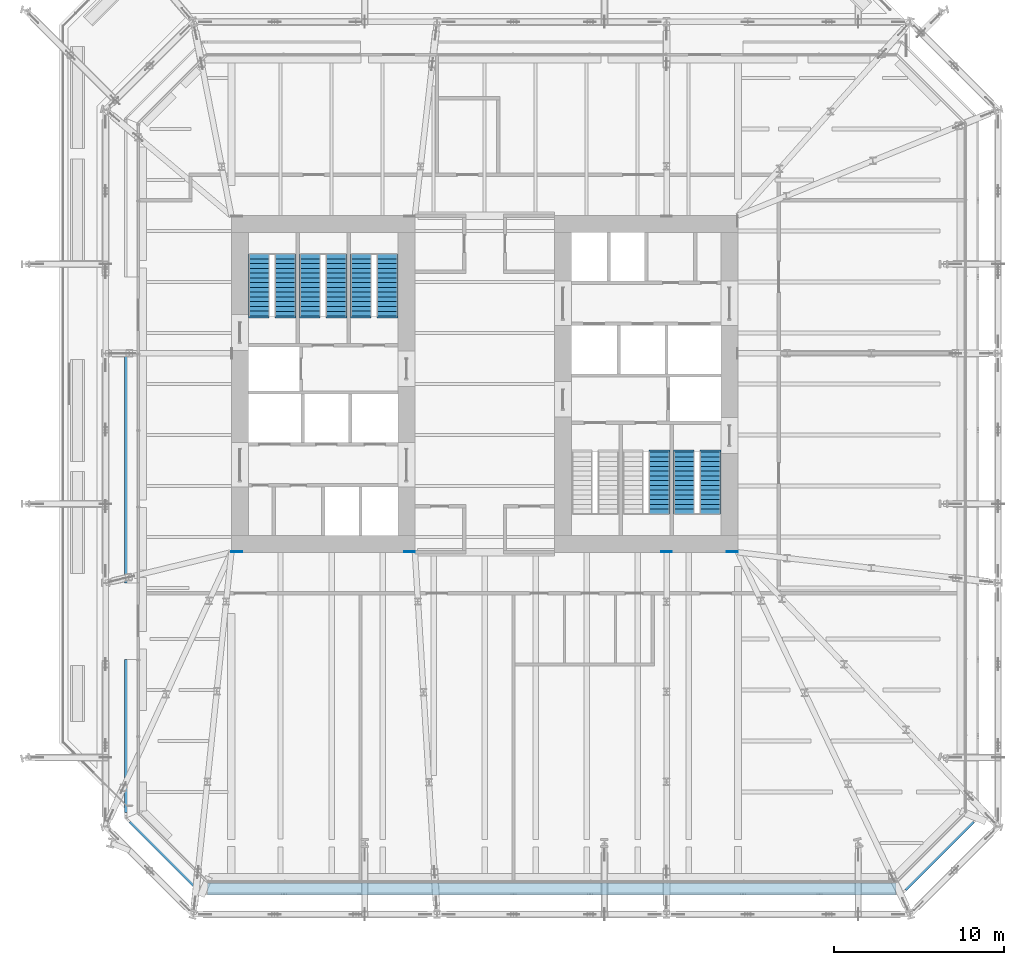
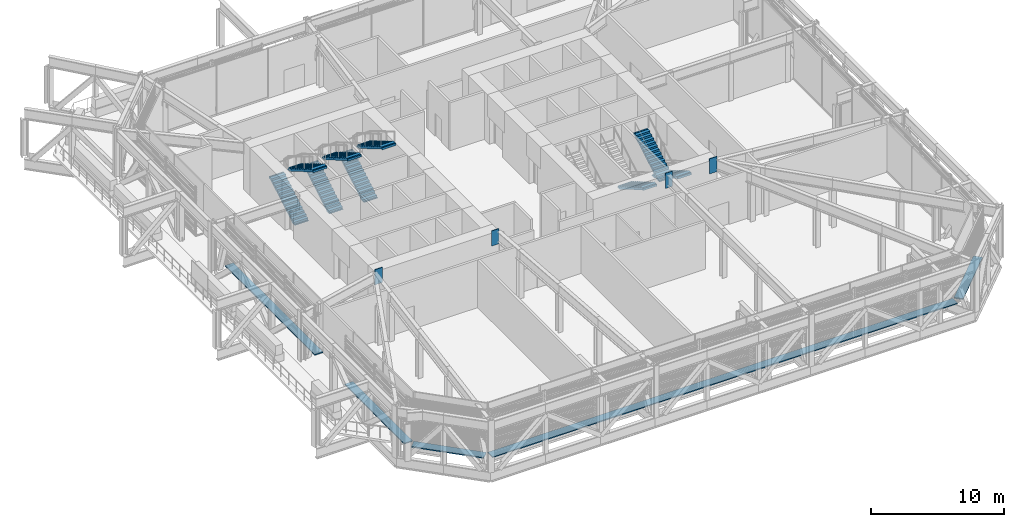
# One storey, part 20 of 29: 9 discrete accessories, 9 stair flights, 5 elements without a shape of their own.
"""IFC4 building model written with IfcOpenShell, lengths in metres."""

import ifcopenshell
import ifcopenshell.guid

model = None  # the IFC model being written
_history = None  # IfcOwnerHistory: only IFC2X3 demands one
_inside = {}  # id of a spatial element -> (the spatial element, [elements in it])
_under = {}  # id of a project, library or spatial element -> (it, [spatial elements below it])
_declared = {}  # id of a project -> (the project, [libraries it declares])
_typed = {}  # id of a type object -> (the type object, [elements of that type])
_made_of = {}  # id of a material, layer set ... -> (it, [elements and type objects made of it])


def new_model(schema):
    """Start an empty IFC model of exactly this schema.

    Asked for "IFC4X3", IfcOpenShell would pick the latest addendum, in which some entities
    have other attributes; the version numbers below select the first issue.
    IFC2X3 requires an IfcOwnerHistory on every rooted entity: one is made here for all.
    """
    global model, _history
    if schema == "IFC4X3":
        model = ifcopenshell.file(schema_version=(4, 3, 0, 0))
    else:
        model = ifcopenshell.file(schema=schema)
    _inside.clear()
    _under.clear()
    _declared.clear()
    _typed.clear()
    _made_of.clear()
    _history = None
    if model.schema == "IFC2X3":
        org = make("IfcOrganization", Name="unknown")
        user = make(
            "IfcPersonAndOrganization",
            ThePerson=make("IfcPerson", FamilyName="unknown"),
            TheOrganization=org,
        )
        app = make(
            "IfcApplication",
            ApplicationDeveloper=org,
            Version="unknown",
            ApplicationFullName="unknown",
            ApplicationIdentifier="unknown",
        )
        _history = make(
            "IfcOwnerHistory",
            OwningUser=user,
            OwningApplication=app,
            ChangeAction="ADDED",
            CreationDate=0,
        )
    return model


def make(cls, **values):
    """One entity of the class cls with the attributes given. An attribute that is None is left unset."""
    return model.create_entity(
        cls, **{name: value for name, value in values.items() if value is not None}
    )


def rooted(cls, **values):
    """An entity with a GlobalId (a new one), such as an element, a storey or a relation."""
    return make(cls, GlobalId=ifcopenshell.guid.new(), OwnerHistory=_history, **values)


def si_unit(unit_type, name, prefix=None):
    """IfcSIUnit, for example si_unit("LENGTHUNIT", "METRE", prefix="MILLI")."""
    return make("IfcSIUnit", UnitType=unit_type, Prefix=prefix, Name=name)


def assignment(units):
    """IfcUnitAssignment: the units of a project."""
    return None if units is None else make("IfcUnitAssignment", Units=units)


def point(xyz):
    """IfcCartesianPoint."""
    return None if xyz is None else make("IfcCartesianPoint", Coordinates=xyz)


def direction(xyz):
    """IfcDirection."""
    return None if xyz is None else make("IfcDirection", DirectionRatios=xyz)


def frame(location, z_axis=None, x_axis=None):
    """IfcAxis2Placement3D, a coordinate frame: its origin and axes. An axis left out is left unset."""
    return make(
        "IfcAxis2Placement3D",
        Location=point(location),
        Axis=direction(z_axis),
        RefDirection=direction(x_axis),
    )


def frame_2d(location, x_axis=None):
    """IfcAxis2Placement2D, a coordinate frame in the plane: its origin and x axis."""
    return make(
        "IfcAxis2Placement2D", Location=point(location), RefDirection=direction(x_axis)
    )


def origin():
    """The frame at (0, 0, 0) with its axes left unset."""
    return frame((0.0, 0.0, 0.0))


def origin_2d():
    """The frame at (0, 0) in the plane with its x axis left unset."""
    return frame_2d((0.0, 0.0))


def place(relative_to, where):
    """IfcLocalPlacement: puts the frame where relative to a parent placement (None: the world)."""
    return make(
        "IfcLocalPlacement", PlacementRelTo=relative_to, RelativePlacement=where
    )


def context(
    kind, dimensions, precision=None, world=None, true_north=None, identifier=None
):
    """IfcGeometricRepresentationContext, for example the 3D "Model" context."""
    return make(
        "IfcGeometricRepresentationContext",
        ContextIdentifier=identifier,
        ContextType=kind,
        CoordinateSpaceDimension=dimensions,
        Precision=precision,
        WorldCoordinateSystem=world,
        TrueNorth=true_north,
    )


def subcontext(parent, identifier, kind, view, scale=None):
    """IfcGeometricRepresentationSubContext, for example "Body" below "Model"."""
    return make(
        "IfcGeometricRepresentationSubContext",
        ContextIdentifier=identifier,
        ContextType=kind,
        ParentContext=parent,
        TargetScale=scale,
        TargetView=view,
    )


def project(units=None, contexts=None):
    """IfcProject with its units and contexts."""
    return rooted(
        "IfcProject",
        Name="project",
        RepresentationContexts=contexts,
        UnitsInContext=assignment(units),
    )


def spatial(cls, under=None, at=None, **own):
    """A site, building, storey or space (cls), placed at a placement, below another one or the project."""
    s = rooted(cls, ObjectPlacement=at, **own)
    if under is not None:
        _under.setdefault(under.id(), (under, []))[1].append(s)
    return s


def polyline(points):
    """IfcPolyline through the points."""
    return make("IfcPolyline", Points=[point(p) for p in points])


def profile(cls, at=None, kind="AREA", **sizes):
    """A parametric profile (cls). Its sizes go by their IFC names, for example OverallWidth=200.0."""
    return make(cls, ProfileType=kind, Position=at, **sizes)


def rectangle(**sizes):
    """IfcRectangleProfileDef."""
    return profile("IfcRectangleProfileDef", **sizes)


def outline(outer, holes=None, kind="AREA"):
    """IfcArbitraryClosedProfileDef: a profile drawn as a closed curve; with holes, ...WithVoids."""
    if holes is None:
        return make("IfcArbitraryClosedProfileDef", ProfileType=kind, OuterCurve=outer)
    return make(
        "IfcArbitraryProfileDefWithVoids",
        ProfileType=kind,
        OuterCurve=outer,
        InnerCurves=holes,
    )


def extrude(swept, where, along, depth):
    """IfcExtrudedAreaSolid: the profile swept, set in the frame where, extruded along a direction by depth."""
    return make(
        "IfcExtrudedAreaSolid",
        SweptArea=swept,
        Position=where,
        ExtrudedDirection=direction(along),
        Depth=depth,
    )


def shape(context_of_items, identifier, shape_type, items):
    """IfcShapeRepresentation: the items that make up one representation, for example the "Body"."""
    return make(
        "IfcShapeRepresentation",
        ContextOfItems=context_of_items,
        RepresentationIdentifier=identifier,
        RepresentationType=shape_type,
        Items=items,
    )


def material(Name=None, Category=None):
    """IfcMaterial."""
    return make("IfcMaterial", Name=Name, Category=Category)


def layer(
    of_material, thickness, ventilated=None, Name=None, Category=None, Priority=None
):
    """IfcMaterialLayer: one layer of a wall or slab, of a material (None: an air gap)."""
    return make(
        "IfcMaterialLayer",
        Material=of_material,
        LayerThickness=thickness,
        IsVentilated=ventilated,
        Name=Name,
        Category=Category,
        Priority=Priority,
    )


def layer_set(layers, Name=None):
    """IfcMaterialLayerSet."""
    return make("IfcMaterialLayerSet", MaterialLayers=layers, LayerSetName=Name)


def made_of(thing, what):
    """Note that an element or type object is made of a material, layer set ...; save() writes the relation."""
    if what is not None:
        _made_of.setdefault(what.id(), (what, []))[1].append(thing)
    return thing


def type_object(cls, material=None, **own):
    """A type object (cls), such as IfcWallType, which elements share."""
    return made_of(rooted(cls, **own), material)


def element(
    cls,
    number,
    at=None,
    inside=None,
    cuts=None,
    type_object=None,
    material=None,
    context=None,
    identifier="Body",
    shape_type=None,
    held_by="IfcProductDefinitionShape",
    body=None,
    shapes=None,
    **own,
):
    """One element of the class cls, such as IfcWall. Its Tag is "e" and its number.

    at: its placement. inside: the storey or other place that contains it. cuts: it is an
    opening in that element (IfcRelVoidsElement). A single representation is given by context,
    identifier, shape_type and body (its items); several are given by shapes. held_by: the class
    of the entity that holds the representations. save() writes the other relations.
    """
    e = rooted(cls, Tag="e%d" % number, ObjectPlacement=at, **own)
    if body is not None:
        shapes = [shape(context, identifier, shape_type, body)]
    if shapes is not None:
        e.Representation = make(held_by, Representations=shapes)
    if inside is not None:
        _inside.setdefault(inside.id(), (inside, []))[1].append(e)
    if cuts is not None:
        rooted(
            "IfcRelVoidsElement", RelatingBuildingElement=cuts, RelatedOpeningElement=e
        )
    if type_object is not None:
        _typed.setdefault(type_object.id(), (type_object, []))[1].append(e)
    return made_of(e, material)


def aggregate(whole, parts):
    """IfcRelAggregates: a whole, such as a stair, and the parts it consists of."""
    return rooted("IfcRelAggregates", RelatingObject=whole, RelatedObjects=parts)


def save(model, path):
    """Write the relations noted so far, then the file.

    IfcRelAggregates (storeys below a building ...), IfcRelContainedInSpatialStructure (elements
    in a storey), IfcRelDefinesByType, IfcRelAssociatesMaterial and IfcRelDeclares: one each for
    every whole, place, type object, material and project.
    """
    for whole, parts in _under.values():
        aggregate(whole, parts)
    for where, things in _inside.values():
        rooted(
            "IfcRelContainedInSpatialStructure",
            RelatedElements=things,
            RelatingStructure=where,
        )
    for kind, things in _typed.values():
        rooted("IfcRelDefinesByType", RelatedObjects=things, RelatingType=kind)
    for what, things in _made_of.values():
        rooted("IfcRelAssociatesMaterial", RelatedObjects=things, RelatingMaterial=what)
    for by, libraries in _declared.values():
        rooted("IfcRelDeclares", RelatingContext=by, RelatedDefinitions=libraries)
    model.write(path)


model = new_model("IFC4")

# Units and contexts
model_context = context("Model", 3, precision=1e-05, world=origin(), true_north=direction((0.0, 1.0)))
body_context = subcontext(model_context, "Body", "Model", "MODEL_VIEW")
ifc_project = project(units=[si_unit("LENGTHUNIT", "METRE"), si_unit("AREAUNIT", "SQUARE_METRE"), si_unit("VOLUMEUNIT", "CUBIC_METRE"), si_unit("PLANEANGLEUNIT", "RADIAN"), si_unit("MASSUNIT", "GRAM", prefix="KILO")], contexts=[model_context])

# Site, building, storey
site_placement = place(None, origin())
site = spatial("IfcSite", under=ifc_project, at=site_placement, CompositionType="ELEMENT")
building_placement = place(site_placement, origin())
building = spatial("IfcBuilding", under=site, at=building_placement, Name="Millrace Tower", CompositionType="ELEMENT")
storey_placement = place(building_placement, frame((0.0, 0.0, 68.60009765625)))
storey = spatial("IfcBuildingStorey", under=building, at=storey_placement, Name="L15", CompositionType="ELEMENT", Elevation=68.60009765625)

# Stair, stair flights
ifc_material_1 = material(Name="Concrete C35", Category="concrete")
stair_type = type_object("IfcStairType", Name="Exit stair", PredefinedType="HALF_TURN_STAIR", material=ifc_material_1)
placement = place(storey_placement, origin())
stair_1 = element("IfcStair", 1, at=placement, inside=storey, type_object=stair_type, Name="Stair 1 W L15", PredefinedType="HALF_TURN_STAIR")
ifc_material_2 = material(Name="Concrete C35", Category="concrete")
stair_flight_type = type_object("IfcStairFlightType", Name="Exit stair flight", PredefinedType="STRAIGHT", material=ifc_material_2)
stair_flight_1_placement = place(storey_placement, frame((-13.2900390625, 4.0, 0.0), z_axis=(0.0, 0.0, 1.0), x_axis=(0.0, 1.0, 0.0)))
stair_flight_1 = element("IfcStairFlight", 2, at=stair_flight_1_placement, type_object=stair_flight_type, Name="ST12 flight 1", NumberOfRisers=14, NumberOfTreads=13, PredefinedType="STRAIGHT", RiserHeight=0.164285714, TreadLength=0.28, context=body_context, shape_type="SweptSolid", body=[
    extrude(outline(polyline([(-0.1201171875, -0.0400390625), (-0.1201171875, 0.0), (0.0, 0.0), (0.0, 0.164306640625), (0.280029296875, 0.164306640625), (0.280029296875, 0.32861328125), (0.56005859375, 0.32861328125), (0.56005859375, 0.492919921875), (0.840087890625, 0.492919921875), (0.840087890625, 0.6572265625), (1.1201171875, 0.6572265625), (1.1201171875, 0.821533203125), (1.39990234375, 0.821533203125), (1.39990234375, 0.985595703125), (1.679931640625, 0.985595703125), (1.679931640625, 1.14990234375), (1.9599609375, 1.14990234375), (1.9599609375, 1.314208984375), (2.239990234375, 1.314208984375), (2.239990234375, 1.478515625), (2.52001953125, 1.478515625), (2.52001953125, 1.642822265625), (2.800048828125, 1.642822265625), (2.800048828125, 1.80712890625), (3.080078125, 1.80712890625), (3.080078125, 1.971435546875), (3.360107421875, 1.971435546875), (3.360107421875, 2.1357421875), (3.639892578125, 2.1357421875), (3.639892578125, 2.15576171875), (3.760009765625, 2.15576171875), (3.760009765625, 1.9619140625), (3.639892578125, 1.9619140625), (0.296142578125, 0.0), (0.296142578125, -0.0400390625), (-0.1201171875, -0.0400390625)])), frame((0.0, 0.60986328125, 0.0), z_axis=(0.0, -1.0, 0.0), x_axis=(1.0, 0.0, 0.0)), (0.0, 0.0, 1.0), 1.219970703125),
])
stair_flight_2_placement = place(storey_placement, frame((-11.7099609375, 7.639892578125, 2.2998046875), z_axis=(0.0, 0.0, 1.0), x_axis=(0.0, -1.0, 0.0)))
stair_flight_2 = element("IfcStairFlight", 3, at=stair_flight_2_placement, type_object=stair_flight_type, Name="ST12 flight 2", NumberOfRisers=14, NumberOfTreads=13, PredefinedType="STRAIGHT", RiserHeight=0.164285714, TreadLength=0.28, context=body_context, shape_type="SweptSolid", body=[
    extrude(outline(polyline([(-0.1201171875, -0.0400390625), (-0.1201171875, 0.0), (0.0, 0.0), (0.0, 0.164306640625), (0.280029296875, 0.164306640625), (0.280029296875, 0.32861328125), (0.56005859375, 0.32861328125), (0.56005859375, 0.492919921875), (0.840087890625, 0.492919921875), (0.840087890625, 0.6572265625), (1.1201171875, 0.6572265625), (1.1201171875, 0.821533203125), (1.39990234375, 0.821533203125), (1.39990234375, 0.985595703125), (1.679931640625, 0.985595703125), (1.679931640625, 1.14990234375), (1.9599609375, 1.14990234375), (1.9599609375, 1.314208984375), (2.239990234375, 1.314208984375), (2.239990234375, 1.478515625), (2.52001953125, 1.478515625), (2.52001953125, 1.642822265625), (2.800048828125, 1.642822265625), (2.800048828125, 1.80712890625), (3.080078125, 1.80712890625), (3.080078125, 1.971435546875), (3.360107421875, 1.971435546875), (3.360107421875, 2.1357421875), (3.639892578125, 2.1357421875), (3.639892578125, 2.15576171875), (3.760009765625, 2.15576171875), (3.760009765625, 1.9619140625), (3.639892578125, 1.9619140625), (0.296142578125, 0.0), (0.296142578125, -0.0400390625), (-0.1201171875, -0.0400390625)])), frame((0.0, 0.60986328125, 0.0), z_axis=(0.0, -1.0, 0.0), x_axis=(1.0, 0.0, 0.0)), (0.0, 0.0, 1.0), 1.219970703125),
])
aggregate(stair_1, [stair_flight_1, stair_flight_2])

stair_2 = element("IfcStair", 4, at=placement, inside=storey, type_object=stair_type, Name="Stair 2 W L15", PredefinedType="HALF_TURN_STAIR")
stair_flight_3_placement = place(storey_placement, frame((-10.2900390625, 4.0, 0.0), z_axis=(0.0, 0.0, 1.0), x_axis=(0.0, 1.0, 0.0)))
stair_flight_3 = element("IfcStairFlight", 5, at=stair_flight_3_placement, type_object=stair_flight_type, Name="ST12 flight 1", NumberOfRisers=14, NumberOfTreads=13, PredefinedType="STRAIGHT", RiserHeight=0.164285714, TreadLength=0.28, context=body_context, shape_type="SweptSolid", body=[
    extrude(outline(polyline([(-0.1201171875, -0.0400390625), (-0.1201171875, 0.0), (0.0, 0.0), (0.0, 0.164306640625), (0.280029296875, 0.164306640625), (0.280029296875, 0.32861328125), (0.56005859375, 0.32861328125), (0.56005859375, 0.492919921875), (0.840087890625, 0.492919921875), (0.840087890625, 0.6572265625), (1.1201171875, 0.6572265625), (1.1201171875, 0.821533203125), (1.39990234375, 0.821533203125), (1.39990234375, 0.985595703125), (1.679931640625, 0.985595703125), (1.679931640625, 1.14990234375), (1.9599609375, 1.14990234375), (1.9599609375, 1.314208984375), (2.239990234375, 1.314208984375), (2.239990234375, 1.478515625), (2.52001953125, 1.478515625), (2.52001953125, 1.642822265625), (2.800048828125, 1.642822265625), (2.800048828125, 1.80712890625), (3.080078125, 1.80712890625), (3.080078125, 1.971435546875), (3.360107421875, 1.971435546875), (3.360107421875, 2.1357421875), (3.639892578125, 2.1357421875), (3.639892578125, 2.15576171875), (3.760009765625, 2.15576171875), (3.760009765625, 1.9619140625), (3.639892578125, 1.9619140625), (0.296142578125, 0.0), (0.296142578125, -0.0400390625), (-0.1201171875, -0.0400390625)])), frame((0.0, 0.60986328125, 0.0), z_axis=(0.0, -1.0, 0.0), x_axis=(1.0, 0.0, 0.0)), (0.0, 0.0, 1.0), 1.219970703125),
])
stair_flight_4_placement = place(storey_placement, frame((-8.7099609375, 7.639892578125, 2.2998046875), z_axis=(0.0, 0.0, 1.0), x_axis=(0.0, -1.0, 0.0)))
stair_flight_4 = element("IfcStairFlight", 6, at=stair_flight_4_placement, type_object=stair_flight_type, Name="ST12 flight 2", NumberOfRisers=14, NumberOfTreads=13, PredefinedType="STRAIGHT", RiserHeight=0.164285714, TreadLength=0.28, context=body_context, shape_type="SweptSolid", body=[
    extrude(outline(polyline([(-0.1201171875, -0.0400390625), (-0.1201171875, 0.0), (0.0, 0.0), (0.0, 0.164306640625), (0.280029296875, 0.164306640625), (0.280029296875, 0.32861328125), (0.56005859375, 0.32861328125), (0.56005859375, 0.492919921875), (0.840087890625, 0.492919921875), (0.840087890625, 0.6572265625), (1.1201171875, 0.6572265625), (1.1201171875, 0.821533203125), (1.39990234375, 0.821533203125), (1.39990234375, 0.985595703125), (1.679931640625, 0.985595703125), (1.679931640625, 1.14990234375), (1.9599609375, 1.14990234375), (1.9599609375, 1.314208984375), (2.239990234375, 1.314208984375), (2.239990234375, 1.478515625), (2.52001953125, 1.478515625), (2.52001953125, 1.642822265625), (2.800048828125, 1.642822265625), (2.800048828125, 1.80712890625), (3.080078125, 1.80712890625), (3.080078125, 1.971435546875), (3.360107421875, 1.971435546875), (3.360107421875, 2.1357421875), (3.639892578125, 2.1357421875), (3.639892578125, 2.15576171875), (3.760009765625, 2.15576171875), (3.760009765625, 1.9619140625), (3.639892578125, 1.9619140625), (0.296142578125, 0.0), (0.296142578125, -0.0400390625), (-0.1201171875, -0.0400390625)])), frame((0.0, 0.60986328125, 0.0), z_axis=(0.0, -1.0, 0.0), x_axis=(1.0, 0.0, 0.0)), (0.0, 0.0, 1.0), 1.219970703125),
])
aggregate(stair_2, [stair_flight_3, stair_flight_4])

stair_3 = element("IfcStair", 7, at=placement, inside=storey, type_object=stair_type, Name="Stair 3 W L15", PredefinedType="HALF_TURN_STAIR")
stair_flight_5_placement = place(storey_placement, frame((-7.2900390625, 4.0, 0.0), z_axis=(0.0, 0.0, 1.0), x_axis=(0.0, 1.0, 0.0)))
stair_flight_5 = element("IfcStairFlight", 8, at=stair_flight_5_placement, type_object=stair_flight_type, Name="ST12 flight 1", NumberOfRisers=14, NumberOfTreads=13, PredefinedType="STRAIGHT", RiserHeight=0.164285714, TreadLength=0.28, context=body_context, shape_type="SweptSolid", body=[
    extrude(outline(polyline([(-0.1201171875, -0.0400390625), (-0.1201171875, 0.0), (0.0, 0.0), (0.0, 0.164306640625), (0.280029296875, 0.164306640625), (0.280029296875, 0.32861328125), (0.56005859375, 0.32861328125), (0.56005859375, 0.492919921875), (0.840087890625, 0.492919921875), (0.840087890625, 0.6572265625), (1.1201171875, 0.6572265625), (1.1201171875, 0.821533203125), (1.39990234375, 0.821533203125), (1.39990234375, 0.985595703125), (1.679931640625, 0.985595703125), (1.679931640625, 1.14990234375), (1.9599609375, 1.14990234375), (1.9599609375, 1.314208984375), (2.239990234375, 1.314208984375), (2.239990234375, 1.478515625), (2.52001953125, 1.478515625), (2.52001953125, 1.642822265625), (2.800048828125, 1.642822265625), (2.800048828125, 1.80712890625), (3.080078125, 1.80712890625), (3.080078125, 1.971435546875), (3.360107421875, 1.971435546875), (3.360107421875, 2.1357421875), (3.639892578125, 2.1357421875), (3.639892578125, 2.15576171875), (3.760009765625, 2.15576171875), (3.760009765625, 1.9619140625), (3.639892578125, 1.9619140625), (0.296142578125, 0.0), (0.296142578125, -0.0400390625), (-0.1201171875, -0.0400390625)])), frame((0.0, 0.60986328125, 0.0), z_axis=(0.0, -1.0, 0.0), x_axis=(1.0, 0.0, 0.0)), (0.0, 0.0, 1.0), 1.219970703125),
])
stair_flight_6_placement = place(storey_placement, frame((-5.7099609375, 7.639892578125, 2.2998046875), z_axis=(0.0, 0.0, 1.0), x_axis=(0.0, -1.0, 0.0)))
stair_flight_6 = element("IfcStairFlight", 9, at=stair_flight_6_placement, type_object=stair_flight_type, Name="ST12 flight 2", NumberOfRisers=14, NumberOfTreads=13, PredefinedType="STRAIGHT", RiserHeight=0.164285714, TreadLength=0.28, context=body_context, shape_type="SweptSolid", body=[
    extrude(outline(polyline([(-0.1201171875, -0.0400390625), (-0.1201171875, 0.0), (0.0, 0.0), (0.0, 0.164306640625), (0.280029296875, 0.164306640625), (0.280029296875, 0.32861328125), (0.56005859375, 0.32861328125), (0.56005859375, 0.492919921875), (0.840087890625, 0.492919921875), (0.840087890625, 0.6572265625), (1.1201171875, 0.6572265625), (1.1201171875, 0.821533203125), (1.39990234375, 0.821533203125), (1.39990234375, 0.985595703125), (1.679931640625, 0.985595703125), (1.679931640625, 1.14990234375), (1.9599609375, 1.14990234375), (1.9599609375, 1.314208984375), (2.239990234375, 1.314208984375), (2.239990234375, 1.478515625), (2.52001953125, 1.478515625), (2.52001953125, 1.642822265625), (2.800048828125, 1.642822265625), (2.800048828125, 1.80712890625), (3.080078125, 1.80712890625), (3.080078125, 1.971435546875), (3.360107421875, 1.971435546875), (3.360107421875, 2.1357421875), (3.639892578125, 2.1357421875), (3.639892578125, 2.15576171875), (3.760009765625, 2.15576171875), (3.760009765625, 1.9619140625), (3.639892578125, 1.9619140625), (0.296142578125, 0.0), (0.296142578125, -0.0400390625), (-0.1201171875, -0.0400390625)])), frame((0.0, 0.60986328125, 0.0), z_axis=(0.0, -1.0, 0.0), x_axis=(1.0, 0.0, 0.0)), (0.0, 0.0, 1.0), 1.219970703125),
])
aggregate(stair_3, [stair_flight_5, stair_flight_6])

stair_4 = element("IfcStair", 10, at=placement, inside=storey, type_object=stair_type, Name="Stair 1 E L15", PredefinedType="HALF_TURN_STAIR")
stair_flight_7_placement = place(storey_placement, frame((13.2900390625, -4.0, 0.0), z_axis=(0.0, 0.0, 1.0), x_axis=(0.0, -1.0, 0.0)))
stair_flight_7 = element("IfcStairFlight", 11, at=stair_flight_7_placement, type_object=stair_flight_type, Name="ST12 flight 1", NumberOfRisers=14, NumberOfTreads=13, PredefinedType="STRAIGHT", RiserHeight=0.164285714, TreadLength=0.28, context=body_context, shape_type="SweptSolid", body=[
    extrude(outline(polyline([(-0.1201171875, -0.0400390625), (-0.1201171875, 0.0), (0.0, 0.0), (0.0, 0.164306640625), (0.280029296875, 0.164306640625), (0.280029296875, 0.32861328125), (0.56005859375, 0.32861328125), (0.56005859375, 0.492919921875), (0.840087890625, 0.492919921875), (0.840087890625, 0.6572265625), (1.1201171875, 0.6572265625), (1.1201171875, 0.821533203125), (1.39990234375, 0.821533203125), (1.39990234375, 0.985595703125), (1.679931640625, 0.985595703125), (1.679931640625, 1.14990234375), (1.9599609375, 1.14990234375), (1.9599609375, 1.314208984375), (2.239990234375, 1.314208984375), (2.239990234375, 1.478515625), (2.52001953125, 1.478515625), (2.52001953125, 1.642822265625), (2.800048828125, 1.642822265625), (2.800048828125, 1.80712890625), (3.080078125, 1.80712890625), (3.080078125, 1.971435546875), (3.360107421875, 1.971435546875), (3.360107421875, 2.1357421875), (3.639892578125, 2.1357421875), (3.639892578125, 2.15576171875), (3.760009765625, 2.15576171875), (3.760009765625, 1.9619140625), (3.639892578125, 1.9619140625), (0.296142578125, 0.0), (0.296142578125, -0.0400390625), (-0.1201171875, -0.0400390625)])), frame((0.0, 0.60986328125, 0.0), z_axis=(0.0, -1.0, 0.0), x_axis=(1.0, 0.0, 0.0)), (0.0, 0.0, 1.0), 1.219970703125),
])
stair_flight_8_placement = place(storey_placement, frame((11.7099609375, -7.639892578125, 2.2998046875), z_axis=(0.0, 0.0, 1.0), x_axis=(0.0, 1.0, 0.0)))
stair_flight_8 = element("IfcStairFlight", 12, at=stair_flight_8_placement, type_object=stair_flight_type, Name="ST12 flight 2", NumberOfRisers=14, NumberOfTreads=13, PredefinedType="STRAIGHT", RiserHeight=0.164285714, TreadLength=0.28, context=body_context, shape_type="SweptSolid", body=[
    extrude(outline(polyline([(-0.1201171875, -0.0400390625), (-0.1201171875, 0.0), (0.0, 0.0), (0.0, 0.164306640625), (0.280029296875, 0.164306640625), (0.280029296875, 0.32861328125), (0.56005859375, 0.32861328125), (0.56005859375, 0.492919921875), (0.840087890625, 0.492919921875), (0.840087890625, 0.6572265625), (1.1201171875, 0.6572265625), (1.1201171875, 0.821533203125), (1.39990234375, 0.821533203125), (1.39990234375, 0.985595703125), (1.679931640625, 0.985595703125), (1.679931640625, 1.14990234375), (1.9599609375, 1.14990234375), (1.9599609375, 1.314208984375), (2.239990234375, 1.314208984375), (2.239990234375, 1.478515625), (2.52001953125, 1.478515625), (2.52001953125, 1.642822265625), (2.800048828125, 1.642822265625), (2.800048828125, 1.80712890625), (3.080078125, 1.80712890625), (3.080078125, 1.971435546875), (3.360107421875, 1.971435546875), (3.360107421875, 2.1357421875), (3.639892578125, 2.1357421875), (3.639892578125, 2.15576171875), (3.760009765625, 2.15576171875), (3.760009765625, 1.9619140625), (3.639892578125, 1.9619140625), (0.296142578125, 0.0), (0.296142578125, -0.0400390625), (-0.1201171875, -0.0400390625)])), frame((0.0, 0.60986328125, 0.0), z_axis=(0.0, -1.0, 0.0), x_axis=(1.0, 0.0, 0.0)), (0.0, 0.0, 1.0), 1.219970703125),
])
aggregate(stair_4, [stair_flight_7, stair_flight_8])

# Stair, stair flight
stair_5 = element("IfcStair", 13, at=placement, inside=storey, type_object=stair_type, Name="Stair 2 E L15", PredefinedType="HALF_TURN_STAIR")
stair_flight_9_placement = place(storey_placement, frame((10.2900390625, -4.0, 0.0), z_axis=(0.0, 0.0, 1.0), x_axis=(0.0, -1.0, 0.0)))
stair_flight_9 = element("IfcStairFlight", 14, at=stair_flight_9_placement, type_object=stair_flight_type, Name="ST12 flight 1", NumberOfRisers=14, NumberOfTreads=13, PredefinedType="STRAIGHT", RiserHeight=0.164285714, TreadLength=0.28, context=body_context, shape_type="SweptSolid", body=[
    extrude(outline(polyline([(-0.1201171875, -0.0400390625), (-0.1201171875, 0.0), (0.0, 0.0), (0.0, 0.164306640625), (0.280029296875, 0.164306640625), (0.280029296875, 0.32861328125), (0.56005859375, 0.32861328125), (0.56005859375, 0.492919921875), (0.840087890625, 0.492919921875), (0.840087890625, 0.6572265625), (1.1201171875, 0.6572265625), (1.1201171875, 0.821533203125), (1.39990234375, 0.821533203125), (1.39990234375, 0.985595703125), (1.679931640625, 0.985595703125), (1.679931640625, 1.14990234375), (1.9599609375, 1.14990234375), (1.9599609375, 1.314208984375), (2.239990234375, 1.314208984375), (2.239990234375, 1.478515625), (2.52001953125, 1.478515625), (2.52001953125, 1.642822265625), (2.800048828125, 1.642822265625), (2.800048828125, 1.80712890625), (3.080078125, 1.80712890625), (3.080078125, 1.971435546875), (3.360107421875, 1.971435546875), (3.360107421875, 2.1357421875), (3.639892578125, 2.1357421875), (3.639892578125, 2.15576171875), (3.760009765625, 2.15576171875), (3.760009765625, 1.9619140625), (3.639892578125, 1.9619140625), (0.296142578125, 0.0), (0.296142578125, -0.0400390625), (-0.1201171875, -0.0400390625)])), frame((0.0, 0.60986328125, 0.0), z_axis=(0.0, -1.0, 0.0), x_axis=(1.0, 0.0, 0.0)), (0.0, 0.0, 1.0), 1.219970703125),
])
aggregate(stair_5, [stair_flight_9])

# Discrete accessories
ifc_material_3 = material(Name="Steel ASTM A572 Grade 50", Category="steel")
ifc_layer_1 = layer(ifc_material_3, 0.054931640625)
ifc_layer_set_1 = layer_set([ifc_layer_1], Name="Steel ASTM A572 Grade 50")
discrete_accessory_type_1 = type_object("IfcDiscreteAccessoryType", Name="Cast-in anchor plate 625x1395x55", PredefinedType="ANCHORPLATE", material=ifc_layer_set_1)
for number, where, z_axis, x_axis, name in (
    (15, (-4.41259765625, -9.844970703125, 3.9033203125), (0.0, -1.0, 0.0), (1.0, 0.0, 0.0), "Cast-in anchor plate TRS-L15-C03-T05"),
    (16, (10.699951171875, -9.844970703125, 3.9033203125), (0.0, -1.0, 0.0), (1.0, 0.0, 0.0), "Cast-in anchor plate TRS-L15-C04-T05"),
):
    element("IfcDiscreteAccessory", number, at=place(storey_placement, frame(where, z_axis=z_axis, x_axis=x_axis)), inside=storey, type_object=discrete_accessory_type_1, Name=name, PredefinedType="ANCHORPLATE", context=body_context, shape_type="SweptSolid", body=[
        extrude(rectangle(XDim=0.625, YDim=1.39501953125, at=origin_2d()), origin(), (0.0, 0.0, 1.0), 0.054931640625),
    ])
ifc_material_4 = material(Name="Steel ASTM A572 Grade 50", Category="steel")
ifc_layer_2 = layer(ifc_material_4, 0.054931640625)
ifc_layer_set_2 = layer_set([ifc_layer_2], Name="Steel ASTM A572 Grade 50")
discrete_accessory_type_2 = type_object("IfcDiscreteAccessoryType", Name="Cast-in anchor plate 655x1395x55", PredefinedType="ANCHORPLATE", material=ifc_layer_set_2)
discrete_accessory_1_placement = place(storey_placement, frame((-14.572509765625, -9.844970703125, 3.9033203125), z_axis=(0.0, -1.0, 0.0), x_axis=(1.0, 0.0, 0.0)))
element("IfcDiscreteAccessory", 17, at=discrete_accessory_1_placement, inside=storey, type_object=discrete_accessory_type_2, Name="Cast-in anchor plate TRS-L15-C01-T04", PredefinedType="ANCHORPLATE", context=body_context, shape_type="SweptSolid", body=[
    extrude(rectangle(XDim=0.655029296875, YDim=1.39501953125, at=origin_2d()), origin(), (0.0, 0.0, 1.0), 0.054931640625),
])
ifc_material_5 = material(Name="Steel ASTM A572 Grade 50", Category="steel")
ifc_layer_3 = layer(ifc_material_5, 0.054931640625)
ifc_layer_set_3 = layer_set([ifc_layer_3], Name="Steel ASTM A572 Grade 50")
discrete_accessory_type_3 = type_object("IfcDiscreteAccessoryType", Name="Cast-in anchor plate 660x1395x55", PredefinedType="ANCHORPLATE", material=ifc_layer_set_3)
discrete_accessory_2_placement = place(storey_placement, frame((14.570068359375, -9.844970703125, 3.9033203125), z_axis=(0.0, -1.0, 0.0), x_axis=(1.0, 0.0, 0.0)))
element("IfcDiscreteAccessory", 18, at=discrete_accessory_2_placement, inside=storey, type_object=discrete_accessory_type_3, Name="Cast-in anchor plate TRS-L15-C05-T05", PredefinedType="ANCHORPLATE", context=body_context, shape_type="SweptSolid", body=[
    extrude(rectangle(XDim=0.659912109375, YDim=1.39501953125, at=origin_2d()), origin(), (0.0, 0.0, 1.0), 0.054931640625),
])
ifc_material_6 = material(Name="Stainless steel ASTM A240 type 316", Category="steel")
discrete_accessory_type_4 = type_object("IfcDiscreteAccessoryType", Name="Thermally broken screen support rail", PredefinedType="BRACKET", material=ifc_material_6)
discrete_accessory_3_placement = place(storey_placement, frame((-18.66064453125, -27.560546875, -0.000244140625), z_axis=(0.0, 0.0, 1.0), x_axis=(0.707106781187, -0.707106781187, 0.0)))
element("IfcDiscreteAccessory", 19, at=discrete_accessory_3_placement, inside=storey, type_object=discrete_accessory_type_4, Name="Thermally broken screen support rail B-F01 L15 1", PredefinedType="BRACKET", context=body_context, shape_type="SweptSolid", body=[
    extrude(rectangle(XDim=5.65673828125, YDim=0.719970703125, at=origin_2d()), origin(), (0.0, 0.0, 1.0), 0.10009765625),
])
discrete_accessory_4_placement = place(storey_placement, frame((3.949951171875, -29.7099609375, -0.000244140625), z_axis=(0.0, 0.0, 1.0), x_axis=(1.0, 0.0, 0.0)))
element("IfcDiscreteAccessory", 20, at=discrete_accessory_4_placement, inside=storey, type_object=discrete_accessory_type_4, Name="Thermally broken screen support rail B-F02 L15 1", PredefinedType="BRACKET", context=body_context, shape_type="SweptSolid", body=[
    extrude(rectangle(XDim=40.5, YDim=0.719970703125, at=origin_2d()), origin(), (0.0, 0.0, 1.0), 0.10009765625),
])
discrete_accessory_5_placement = place(storey_placement, frame((26.560546875, -27.560546875, -0.000244140625), z_axis=(0.0, 0.0, 1.0), x_axis=(0.707106781187, 0.707106781187, 0.0)))
element("IfcDiscreteAccessory", 21, at=discrete_accessory_5_placement, inside=storey, type_object=discrete_accessory_type_4, Name="Thermally broken screen support rail B-F03 L15 1", PredefinedType="BRACKET", context=body_context, shape_type="SweptSolid", body=[
    extrude(rectangle(XDim=5.65673828125, YDim=0.719970703125, at=origin_2d()), origin(), (0.0, 0.0, 1.0), 0.10009765625),
])
discrete_accessory_6_placement = place(storey_placement, frame((-20.81005859375, -4.949951171875, -0.000244140625), z_axis=(0.0, 0.0, 1.0), x_axis=(0.0, -1.0, 0.0)))
element("IfcDiscreteAccessory", 22, at=discrete_accessory_6_placement, inside=storey, type_object=discrete_accessory_type_4, Name="Thermally broken screen support rail B-F08 L15 2", PredefinedType="BRACKET", context=body_context, shape_type="SweptSolid", body=[
    extrude(rectangle(XDim=13.5, YDim=0.719970703125, at=origin_2d()), origin(), (0.0, 0.0, 1.0), 0.10009765625),
])
discrete_accessory_7_placement = place(storey_placement, frame((-20.81005859375, -20.699951171875, -0.000244140625), z_axis=(0.0, 0.0, 1.0), x_axis=(0.0, -1.0, 0.0)))
element("IfcDiscreteAccessory", 23, at=discrete_accessory_7_placement, inside=storey, type_object=discrete_accessory_type_4, Name="Thermally broken screen support rail B-F08 L15 3", PredefinedType="BRACKET", context=body_context, shape_type="SweptSolid", body=[
    extrude(rectangle(XDim=9.0, YDim=0.719970703125, at=origin_2d()), origin(), (0.0, 0.0, 1.0), 0.10009765625),
])

save(model, "model.ifc")
